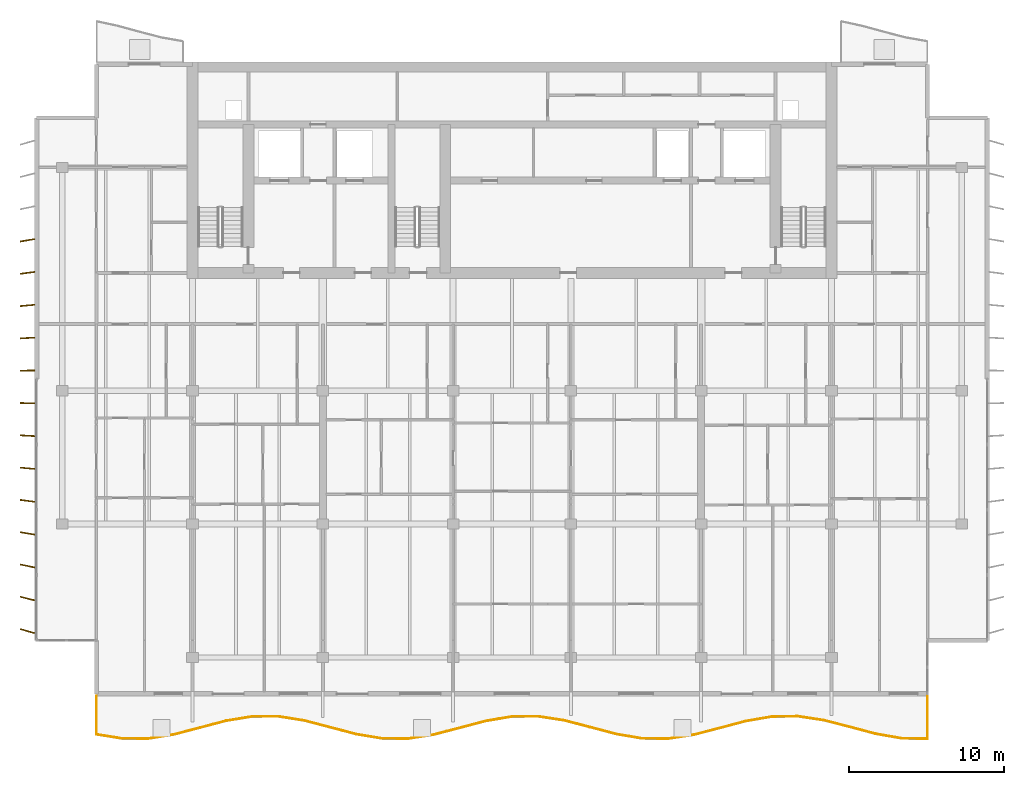
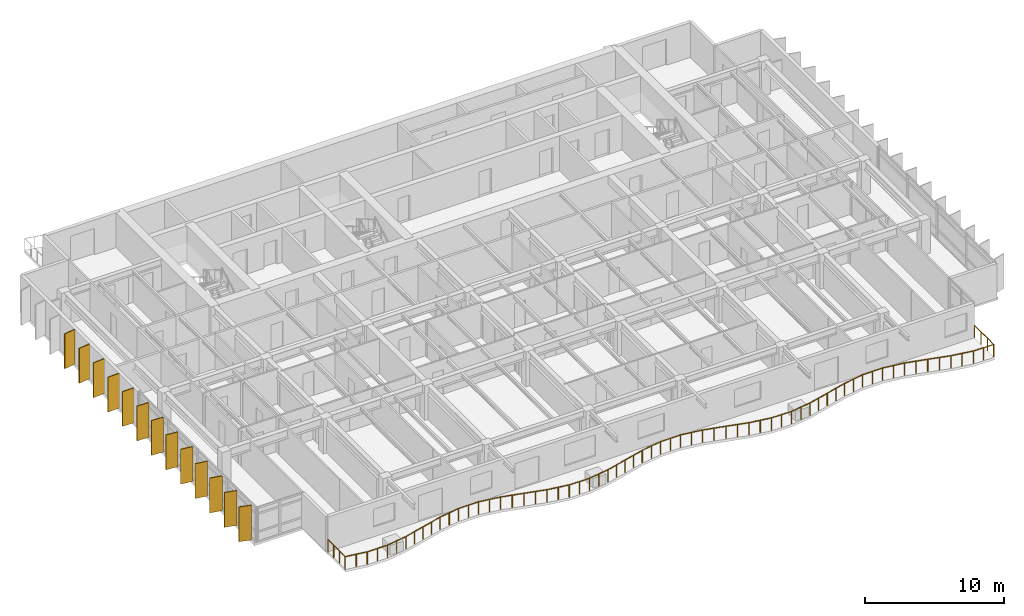
# One storey, part 13 of 17: 13 shading devices, 1 railing.
"""IFC4 building model written with IfcOpenShell, lengths in metres."""

from ifc_helpers import new_model, si_unit, direction, frame, origin, origin_2d, place, context, subcontext, project, spatial, rectangle, circle, extrude, material, material_profile, profile_set, type_object, element, save


model = new_model("IFC4")

# Units and contexts
model_context = context("Model", 3, precision=1e-05, world=origin(), true_north=direction((0.0, 1.0)))
body_context = subcontext(model_context, "Body", "Model", "MODEL_VIEW")
ifc_project = project(units=[si_unit("LENGTHUNIT", "METRE"), si_unit("AREAUNIT", "SQUARE_METRE"), si_unit("VOLUMEUNIT", "CUBIC_METRE"), si_unit("PLANEANGLEUNIT", "RADIAN"), si_unit("MASSUNIT", "GRAM", prefix="KILO")], contexts=[model_context])

# Site, building, storey
site_placement = place(None, origin())
site = spatial("IfcSite", under=ifc_project, at=site_placement, CompositionType="ELEMENT")
building_placement = place(site_placement, origin())
building = spatial("IfcBuilding", under=site, at=building_placement, Name="Caelmar Bay Residences", CompositionType="ELEMENT")
storey_placement = place(building_placement, frame((0.0, 0.0, 243.0)))
storey = spatial("IfcBuildingStorey", under=building, at=storey_placement, Name="L68", CompositionType="ELEMENT", Elevation=243.0)

# Railing
ifc_material_1 = material(Name="Anodised bronze handrail with laminated hurricane glass infill", Category="glass")
railing_type = type_object("IfcRailingType", Name="RL-BAL-1100", PredefinedType="BALUSTRADE", material=ifc_material_1)
railing_placement = place(storey_placement, frame((12.10009765625, 9.699951171875, 0.0)))
element("IfcRailing", 1, at=railing_placement, inside=storey, type_object=railing_type, Name="L68 south Balcony Balustrade", PredefinedType="BALUSTRADE", context=body_context, shape_type="SweptSolid", body=[
    extrude(circle(Radius=0.02392578125, at=origin_2d()), frame((0.0, 0.0, 1.076171875), z_axis=(0.0, -1.0, 0.0), x_axis=(1.0, 0.0, 0.0)), (0.0, 0.0, 1.0), 2.460693359375),
    extrude(circle(Radius=0.02392578125, at=origin_2d()), frame((0.0, -2.460693359375, 1.076171875), z_axis=(0.987047039079, -0.160431114952, 0.0), x_axis=(0.160431114952, 0.987047039079, 0.0)), (0.0, 0.0, 1.0), 1.69677734375),
    extrude(circle(Radius=0.02392578125, at=origin_2d()), frame((1.6748046875, -2.73291015625, 1.076171875), z_axis=(0.999999734457, -0.000728756547, 0.0), x_axis=(0.000728756547, 0.999999734457, 0.0)), (0.0, 0.0, 1.0), 1.675048828125),
    extrude(circle(Radius=0.02392578125, at=origin_2d()), frame((3.349853515625, -2.734130859375, 1.076171875), z_axis=(0.987254980972, 0.15914648141, 0.0), x_axis=(-0.15914648141, 0.987254980972, 0.0)), (0.0, 0.0, 1.0), 1.69677734375),
    extrude(circle(Radius=0.02392578125, at=origin_2d()), frame((5.02490234375, -2.464111328125, 1.076171875), z_axis=(0.967404305386, 0.253236865249, 0.0), x_axis=(-0.253236865249, 0.967404305386, 0.0)), (0.0, 0.0, 1.0), 1.7314453125),
    extrude(circle(Radius=0.02392578125, at=origin_2d()), frame((6.699951171875, -2.025634765625, 1.076171875), z_axis=(0.967092793204, 0.254423916591, 0.0), x_axis=(-0.254423916591, 0.967092793204, 0.0)), (0.0, 0.0, 1.0), 1.73193359375),
    extrude(circle(Radius=0.02392578125, at=origin_2d()), frame((8.375, -1.5849609375, 1.076171875), z_axis=(0.986726209482, 0.162392695409, 0.0), x_axis=(-0.162392695409, 0.986726209482, 0.0)), (0.0, 0.0, 1.0), 1.697265625),
    extrude(circle(Radius=0.02392578125, at=origin_2d()), frame((10.0498046875, -1.309326171875, 1.076171875), z_axis=(0.999994381153, 0.003352262173, 0.0), x_axis=(-0.003352262173, 0.999994381153, 0.0)), (0.0, 0.0, 1.0), 1.675048828125),
    extrude(circle(Radius=0.02392578125, at=origin_2d()), frame((11.724853515625, -1.3037109375, 1.076171875), z_axis=(0.987591978571, -0.157041662822, 0.0), x_axis=(0.157041662822, 0.987591978571, 0.0)), (0.0, 0.0, 1.0), 1.696044921875),
    extrude(circle(Radius=0.02392578125, at=origin_2d()), frame((13.39990234375, -1.570068359375, 1.076171875), z_axis=(0.967576824315, -0.252576897296, 0.0), x_axis=(0.252576897296, 0.967576824315, 0.0)), (0.0, 0.0, 1.0), 1.731201171875),
    extrude(circle(Radius=0.02392578125, at=origin_2d()), frame((15.074951171875, -2.00732421875, 1.076171875), z_axis=(0.966884421424, -0.255214646145, 0.0), x_axis=(0.255214646145, 0.966884421424, 0.0)), (0.0, 0.0, 1.0), 1.732421875),
    extrude(circle(Radius=0.02392578125, at=origin_2d()), frame((16.75, -2.449462890625, 1.076171875), z_axis=(0.986424996729, -0.164212441147, 0.0), x_axis=(0.164212441147, 0.986424996729, 0.0)), (0.0, 0.0, 1.0), 1.69775390625),
    extrude(circle(Radius=0.02392578125, at=origin_2d()), frame((18.4248046875, -2.728271484375, 1.076171875), z_axis=(0.999982145354, -0.00597569858, 0.0), x_axis=(0.00597569858, 0.999982145354, 0.0)), (0.0, 0.0, 1.0), 1.675048828125),
    extrude(circle(Radius=0.02392578125, at=origin_2d()), frame((20.099853515625, -2.73828125, 1.076171875), z_axis=(0.987902663395, 0.155075232251, 0.0), x_axis=(-0.155075232251, 0.987902663395, 0.0)), (0.0, 0.0, 1.0), 1.695556640625),
    extrude(circle(Radius=0.02392578125, at=origin_2d()), frame((21.77490234375, -2.475341796875, 1.076171875), z_axis=(0.967783333474, 0.251784470231, 0.0), x_axis=(-0.251784470231, 0.967783333474, 0.0)), (0.0, 0.0, 1.0), 1.730712890625),
    extrude(circle(Radius=0.02392578125, at=origin_2d()), frame((23.449951171875, -2.03955078125, 1.076171875), z_axis=(0.966745197832, 0.255741514949, 0.0), x_axis=(-0.255741514949, 0.966745197832, 0.0)), (0.0, 0.0, 1.0), 1.732666015625),
    extrude(circle(Radius=0.02392578125, at=origin_2d()), frame((25.125, -1.596435546875, 1.076171875), z_axis=(0.986073507488, 0.16631006533, 0.0), x_axis=(-0.16631006533, 0.986073507488, 0.0)), (0.0, 0.0, 1.0), 1.698486328125),
    extrude(circle(Radius=0.02392578125, at=origin_2d()), frame((26.7998046875, -1.31396484375, 1.076171875), z_axis=(0.999963027816, 0.008599011608, 0.0), x_axis=(-0.008599011608, 0.999963027816, 0.0)), (0.0, 0.0, 1.0), 1.675048828125),
    extrude(circle(Radius=0.02392578125, at=origin_2d()), frame((28.474853515625, -1.299560546875, 1.076171875), z_axis=(0.98823140632, -0.152966295513, 0.0), x_axis=(0.152966295513, 0.98823140632, 0.0)), (0.0, 0.0, 1.0), 1.695068359375),
    extrude(circle(Radius=0.02392578125, at=origin_2d()), frame((30.14990234375, -1.558837890625, 1.076171875), z_axis=(0.967954995668, -0.251123727196, 0.0), x_axis=(0.251123727196, 0.967954995668, 0.0)), (0.0, 0.0, 1.0), 1.73046875),
    extrude(circle(Radius=0.02392578125, at=origin_2d()), frame((31.824951171875, -1.993408203125, 1.076171875), z_axis=(0.966570821259, -0.256399780599, 0.0), x_axis=(0.256399780599, 0.966570821259, 0.0)), (0.0, 0.0, 1.0), 1.73291015625),
    extrude(circle(Radius=0.02392578125, at=origin_2d()), frame((33.5, -2.437744140625, 1.076171875), z_axis=(0.985741657826, -0.168265813603, 0.0), x_axis=(0.168265813603, 0.985741657826, 0.0)), (0.0, 0.0, 1.0), 1.698974609375),
    extrude(circle(Radius=0.02392578125, at=origin_2d()), frame((35.1748046875, -2.7236328125, 1.076171875), z_axis=(0.999938654546, -0.011076422933, 0.0), x_axis=(0.011076422933, 0.999938654546, 0.0)), (0.0, 0.0, 1.0), 1.675048828125),
    extrude(circle(Radius=0.02392578125, at=origin_2d()), frame((36.849853515625, -2.7421875, 1.076171875), z_axis=(0.98855586007, 0.150855266797, 0.0), x_axis=(-0.150855266797, 0.98855586007, 0.0)), (0.0, 0.0, 1.0), 1.6943359375),
    extrude(circle(Radius=0.02392578125, at=origin_2d()), frame((38.52490234375, -2.486572265625, 1.076171875), z_axis=(0.968160474746, 0.250330371987, 0.0), x_axis=(-0.250330371987, 0.968160474746, 0.0)), (0.0, 0.0, 1.0), 1.730224609375),
    extrude(circle(Radius=0.02392578125, at=origin_2d()), frame((40.199951171875, -2.053466796875, 1.076171875), z_axis=(0.966396059685, 0.257057689684, 0.0), x_axis=(-0.257057689684, 0.966396059685, 0.0)), (0.0, 0.0, 1.0), 1.7333984375),
    extrude(circle(Radius=0.02392578125, at=origin_2d()), frame((41.875, -1.60791015625, 1.076171875), z_axis=(0.985430242826, 0.170080088558, 0.0), x_axis=(-0.170080088558, 0.985430242826, 0.0)), (0.0, 0.0, 1.0), 1.699462890625),
    extrude(circle(Radius=0.02392578125, at=origin_2d()), frame((43.5498046875, -1.31884765625, 1.076171875), z_axis=(0.999906159624, 0.013699341059, 0.0), x_axis=(-0.013699341059, 0.999906159624, 0.0)), (0.0, 0.0, 1.0), 1.67529296875),
    extrude(circle(Radius=0.02392578125, at=origin_2d()), frame((45.224853515625, -1.2958984375, 1.076171875), z_axis=(0.988876011535, -0.148742172264, 0.0), x_axis=(0.148742172264, 0.988876011535, 0.0)), (0.0, 0.0, 1.0), 1.69384765625),
    extrude(circle(Radius=0.02392578125, at=origin_2d()), frame((46.89990234375, -1.5478515625, 1.076171875), z_axis=(0.968399487997, -0.249404153227, 0.0), x_axis=(0.249404153227, 0.968399487997, 0.0)), (0.0, 0.0, 1.0), 1.729736328125),
    extrude(circle(Radius=0.02392578125, at=origin_2d()), frame((48.574951171875, -1.979248046875, 1.076171875), z_axis=(0.966220913805, -0.257715241548, 0.0), x_axis=(0.257715241548, 0.966220913805, 0.0)), (0.0, 0.0, 1.0), 1.733642578125),
    extrude(circle(Radius=0.02392578125, at=origin_2d()), frame((50.25, -2.426025390625, 1.076171875), z_axis=(0.985067018803, -0.172171334627, 0.0), x_axis=(0.172171334627, 0.985067018803, 0.0)), (0.0, 0.0, 1.0), 1.7001953125),
    extrude(circle(Radius=0.02392578125, at=origin_2d()), frame((51.9248046875, -2.71875, 1.076171875), z_axis=(0.999869155377, -0.016176282794, 0.0), x_axis=(0.016176282794, 0.999869155377, 0.0)), (0.0, 0.0, 1.0), 1.67529296875),
    extrude(circle(Radius=0.02392578125, at=origin_2d()), frame((53.599853515625, -2.745849609375, 1.076171875), z_axis=(0.0, 1.0, 0.0), x_axis=(-1.0, 0.0, 0.0)), (0.0, 0.0, 1.0), 2.745849609375),
    extrude(circle(Radius=0.02099609375, at=origin_2d()), origin(), (0.0, 0.0, 1.0), 1.052001953125),
    extrude(circle(Radius=0.02099609375, at=origin_2d()), frame((0.0, -0.8203125, 0.0)), (0.0, 0.0, 1.0), 1.052001953125),
    extrude(circle(Radius=0.02099609375, at=origin_2d()), frame((0.0, -1.640380859375, 0.0)), (0.0, 0.0, 1.0), 1.052001953125),
    extrude(circle(Radius=0.02099609375, at=origin_2d()), frame((0.0, -2.460693359375, 0.0)), (0.0, 0.0, 1.0), 1.052001953125),
    extrude(circle(Radius=0.02099609375, at=origin_2d()), frame((0.83740234375, -2.5966796875, 0.0)), (0.0, 0.0, 1.0), 1.052001953125),
    extrude(circle(Radius=0.02099609375, at=origin_2d()), frame((1.6748046875, -2.73291015625, 0.0)), (0.0, 0.0, 1.0), 1.052001953125),
    extrude(circle(Radius=0.02099609375, at=origin_2d()), frame((2.51220703125, -2.7333984375, 0.0)), (0.0, 0.0, 1.0), 1.052001953125),
    extrude(circle(Radius=0.02099609375, at=origin_2d()), frame((3.349853515625, -2.734130859375, 0.0)), (0.0, 0.0, 1.0), 1.052001953125),
    extrude(circle(Radius=0.02099609375, at=origin_2d()), frame((4.1875, -2.59912109375, 0.0)), (0.0, 0.0, 1.0), 1.052001953125),
    extrude(circle(Radius=0.02099609375, at=origin_2d()), frame((5.02490234375, -2.464111328125, 0.0)), (0.0, 0.0, 1.0), 1.052001953125),
    extrude(circle(Radius=0.02099609375, at=origin_2d()), frame((5.8623046875, -2.244873046875, 0.0)), (0.0, 0.0, 1.0), 1.052001953125),
    extrude(circle(Radius=0.02099609375, at=origin_2d()), frame((6.699951171875, -2.025634765625, 0.0)), (0.0, 0.0, 1.0), 1.052001953125),
    extrude(circle(Radius=0.02099609375, at=origin_2d()), frame((7.53759765625, -1.80517578125, 0.0)), (0.0, 0.0, 1.0), 1.052001953125),
    extrude(circle(Radius=0.02099609375, at=origin_2d()), frame((8.375, -1.5849609375, 0.0)), (0.0, 0.0, 1.0), 1.052001953125),
    extrude(circle(Radius=0.02099609375, at=origin_2d()), frame((9.21240234375, -1.447265625, 0.0)), (0.0, 0.0, 1.0), 1.052001953125),
    extrude(circle(Radius=0.02099609375, at=origin_2d()), frame((10.0498046875, -1.309326171875, 0.0)), (0.0, 0.0, 1.0), 1.052001953125),
    extrude(circle(Radius=0.02099609375, at=origin_2d()), frame((10.88720703125, -1.306640625, 0.0)), (0.0, 0.0, 1.0), 1.052001953125),
    extrude(circle(Radius=0.02099609375, at=origin_2d()), frame((11.724853515625, -1.3037109375, 0.0)), (0.0, 0.0, 1.0), 1.052001953125),
    extrude(circle(Radius=0.02099609375, at=origin_2d()), frame((12.5625, -1.43701171875, 0.0)), (0.0, 0.0, 1.0), 1.052001953125),
    extrude(circle(Radius=0.02099609375, at=origin_2d()), frame((13.39990234375, -1.570068359375, 0.0)), (0.0, 0.0, 1.0), 1.052001953125),
    extrude(circle(Radius=0.02099609375, at=origin_2d()), frame((14.2373046875, -1.78857421875, 0.0)), (0.0, 0.0, 1.0), 1.052001953125),
    extrude(circle(Radius=0.02099609375, at=origin_2d()), frame((15.074951171875, -2.00732421875, 0.0)), (0.0, 0.0, 1.0), 1.052001953125),
    extrude(circle(Radius=0.02099609375, at=origin_2d()), frame((15.91259765625, -2.228515625, 0.0)), (0.0, 0.0, 1.0), 1.052001953125),
    extrude(circle(Radius=0.02099609375, at=origin_2d()), frame((16.75, -2.449462890625, 0.0)), (0.0, 0.0, 1.0), 1.052001953125),
    extrude(circle(Radius=0.02099609375, at=origin_2d()), frame((17.58740234375, -2.5888671875, 0.0)), (0.0, 0.0, 1.0), 1.052001953125),
    extrude(circle(Radius=0.02099609375, at=origin_2d()), frame((18.4248046875, -2.728271484375, 0.0)), (0.0, 0.0, 1.0), 1.052001953125),
    extrude(circle(Radius=0.02099609375, at=origin_2d()), frame((19.26220703125, -2.7333984375, 0.0)), (0.0, 0.0, 1.0), 1.052001953125),
    extrude(circle(Radius=0.02099609375, at=origin_2d()), frame((20.099853515625, -2.73828125, 0.0)), (0.0, 0.0, 1.0), 1.052001953125),
    extrude(circle(Radius=0.02099609375, at=origin_2d()), frame((20.9375, -2.60693359375, 0.0)), (0.0, 0.0, 1.0), 1.052001953125),
    extrude(circle(Radius=0.02099609375, at=origin_2d()), frame((21.77490234375, -2.475341796875, 0.0)), (0.0, 0.0, 1.0), 1.052001953125),
    extrude(circle(Radius=0.02099609375, at=origin_2d()), frame((22.6123046875, -2.25732421875, 0.0)), (0.0, 0.0, 1.0), 1.052001953125),
    extrude(circle(Radius=0.02099609375, at=origin_2d()), frame((23.449951171875, -2.03955078125, 0.0)), (0.0, 0.0, 1.0), 1.052001953125),
    extrude(circle(Radius=0.02099609375, at=origin_2d()), frame((24.28759765625, -1.81787109375, 0.0)), (0.0, 0.0, 1.0), 1.052001953125),
    extrude(circle(Radius=0.02099609375, at=origin_2d()), frame((25.125, -1.596435546875, 0.0)), (0.0, 0.0, 1.0), 1.052001953125),
    extrude(circle(Radius=0.02099609375, at=origin_2d()), frame((25.96240234375, -1.455078125, 0.0)), (0.0, 0.0, 1.0), 1.052001953125),
    extrude(circle(Radius=0.02099609375, at=origin_2d()), frame((26.7998046875, -1.31396484375, 0.0)), (0.0, 0.0, 1.0), 1.052001953125),
    extrude(circle(Radius=0.02099609375, at=origin_2d()), frame((27.63720703125, -1.306640625, 0.0)), (0.0, 0.0, 1.0), 1.052001953125),
    extrude(circle(Radius=0.02099609375, at=origin_2d()), frame((28.474853515625, -1.299560546875, 0.0)), (0.0, 0.0, 1.0), 1.052001953125),
    extrude(circle(Radius=0.02099609375, at=origin_2d()), frame((29.3125, -1.42919921875, 0.0)), (0.0, 0.0, 1.0), 1.052001953125),
    extrude(circle(Radius=0.02099609375, at=origin_2d()), frame((30.14990234375, -1.558837890625, 0.0)), (0.0, 0.0, 1.0), 1.052001953125),
    extrude(circle(Radius=0.02099609375, at=origin_2d()), frame((30.9873046875, -1.776123046875, 0.0)), (0.0, 0.0, 1.0), 1.052001953125),
    extrude(circle(Radius=0.02099609375, at=origin_2d()), frame((31.824951171875, -1.993408203125, 0.0)), (0.0, 0.0, 1.0), 1.052001953125),
    extrude(circle(Radius=0.02099609375, at=origin_2d()), frame((32.66259765625, -2.215576171875, 0.0)), (0.0, 0.0, 1.0), 1.052001953125),
    extrude(circle(Radius=0.02099609375, at=origin_2d()), frame((33.5, -2.437744140625, 0.0)), (0.0, 0.0, 1.0), 1.052001953125),
    extrude(circle(Radius=0.02099609375, at=origin_2d()), frame((34.33740234375, -2.58056640625, 0.0)), (0.0, 0.0, 1.0), 1.052001953125),
    extrude(circle(Radius=0.02099609375, at=origin_2d()), frame((35.1748046875, -2.7236328125, 0.0)), (0.0, 0.0, 1.0), 1.052001953125),
    extrude(circle(Radius=0.02099609375, at=origin_2d()), frame((36.01220703125, -2.73291015625, 0.0)), (0.0, 0.0, 1.0), 1.052001953125),
    extrude(circle(Radius=0.02099609375, at=origin_2d()), frame((36.849853515625, -2.7421875, 0.0)), (0.0, 0.0, 1.0), 1.052001953125),
    extrude(circle(Radius=0.02099609375, at=origin_2d()), frame((37.6875, -2.6142578125, 0.0)), (0.0, 0.0, 1.0), 1.052001953125),
    extrude(circle(Radius=0.02099609375, at=origin_2d()), frame((38.52490234375, -2.486572265625, 0.0)), (0.0, 0.0, 1.0), 1.052001953125),
    extrude(circle(Radius=0.02099609375, at=origin_2d()), frame((39.3623046875, -2.27001953125, 0.0)), (0.0, 0.0, 1.0), 1.052001953125),
    extrude(circle(Radius=0.02099609375, at=origin_2d()), frame((40.199951171875, -2.053466796875, 0.0)), (0.0, 0.0, 1.0), 1.052001953125),
    extrude(circle(Radius=0.02099609375, at=origin_2d()), frame((41.03759765625, -1.83056640625, 0.0)), (0.0, 0.0, 1.0), 1.052001953125),
    extrude(circle(Radius=0.02099609375, at=origin_2d()), frame((41.875, -1.60791015625, 0.0)), (0.0, 0.0, 1.0), 1.052001953125),
    extrude(circle(Radius=0.02099609375, at=origin_2d()), frame((42.71240234375, -1.46337890625, 0.0)), (0.0, 0.0, 1.0), 1.052001953125),
    extrude(circle(Radius=0.02099609375, at=origin_2d()), frame((43.5498046875, -1.31884765625, 0.0)), (0.0, 0.0, 1.0), 1.052001953125),
    extrude(circle(Radius=0.02099609375, at=origin_2d()), frame((44.38720703125, -1.307373046875, 0.0)), (0.0, 0.0, 1.0), 1.052001953125),
    extrude(circle(Radius=0.02099609375, at=origin_2d()), frame((45.224853515625, -1.2958984375, 0.0)), (0.0, 0.0, 1.0), 1.052001953125),
    extrude(circle(Radius=0.02099609375, at=origin_2d()), frame((46.0625, -1.421875, 0.0)), (0.0, 0.0, 1.0), 1.052001953125),
    extrude(circle(Radius=0.02099609375, at=origin_2d()), frame((46.89990234375, -1.5478515625, 0.0)), (0.0, 0.0, 1.0), 1.052001953125),
    extrude(circle(Radius=0.02099609375, at=origin_2d()), frame((47.7373046875, -1.763671875, 0.0)), (0.0, 0.0, 1.0), 1.052001953125),
    extrude(circle(Radius=0.02099609375, at=origin_2d()), frame((48.574951171875, -1.979248046875, 0.0)), (0.0, 0.0, 1.0), 1.052001953125),
    extrude(circle(Radius=0.02099609375, at=origin_2d()), frame((49.41259765625, -2.20263671875, 0.0)), (0.0, 0.0, 1.0), 1.052001953125),
    extrude(circle(Radius=0.02099609375, at=origin_2d()), frame((50.25, -2.426025390625, 0.0)), (0.0, 0.0, 1.0), 1.052001953125),
    extrude(circle(Radius=0.02099609375, at=origin_2d()), frame((51.08740234375, -2.572265625, 0.0)), (0.0, 0.0, 1.0), 1.052001953125),
    extrude(circle(Radius=0.02099609375, at=origin_2d()), frame((51.9248046875, -2.71875, 0.0)), (0.0, 0.0, 1.0), 1.052001953125),
    extrude(circle(Radius=0.02099609375, at=origin_2d()), frame((52.76220703125, -2.732421875, 0.0)), (0.0, 0.0, 1.0), 1.052001953125),
    extrude(circle(Radius=0.02099609375, at=origin_2d()), frame((53.599853515625, -2.745849609375, 0.0)), (0.0, 0.0, 1.0), 1.052001953125),
    extrude(circle(Radius=0.02099609375, at=origin_2d()), frame((53.599853515625, -1.83056640625, 0.0)), (0.0, 0.0, 1.0), 1.052001953125),
    extrude(circle(Radius=0.02099609375, at=origin_2d()), frame((53.599853515625, -0.915283203125, 0.0)), (0.0, 0.0, 1.0), 1.052001953125),
    extrude(circle(Radius=0.02099609375, at=origin_2d()), frame((53.599853515625, 0.0, 0.0)), (0.0, 0.0, 1.0), 1.052001953125),
])

# Shading devices
ifc_material_2 = material(Name="Anodised architectural bronze aluminium 6063-T6", Category="aluminium")
ifc_material_profile = material_profile(ifc_material_2, rectangle(XDim=0.074951171875, YDim=0.949951171875, at=origin_2d()), Name="BRONZE-FIN-75X950")
ifc_profile_set = profile_set([ifc_material_profile], Name="Anodised architectural bronze aluminium 6063-T6")
shading_device_type = type_object("IfcShadingDeviceType", Name="SHD-FIN-950", PredefinedType="USERDEFINED", material=ifc_profile_set)
for number, where, z_axis, x_axis, name in (
    (2, (7.64990234375, 13.89990234375, 0.0), (0.0, 0.0, 1.0), (0.275637355817, 0.961261695938, 0.0), "L68 West Bronze Solar Fin 1"),
    (3, (7.64990234375, 16.0, 0.0), (0.0, 0.0, 1.0), (0.239719743609, 0.970842131618, 0.0), "L68 West Bronze Solar Fin 2"),
    (4, (7.64990234375, 18.10009765625, 0.0), (0.0, 0.0, 1.0), (0.2032999874, 0.979116497217, 0.0), "L68 West Bronze Solar Fin 3"),
    (5, (7.64990234375, 20.199951171875, 0.0), (0.0, 0.0, 1.0), (0.166768746716, 0.985996037071, 0.0), "L68 West Bronze Solar Fin 4"),
    (6, (7.64990234375, 22.300048828125, 0.0), (0.0, 0.0, 1.0), (0.130007055036, 0.99151306882, 0.0), "L68 West Bronze Solar Fin 5"),
    (7, (7.64990234375, 24.39990234375, 0.0), (0.0, 0.0, 1.0), (0.092891934994, 0.995676196569, 0.0), "L68 West Bronze Solar Fin 6"),
    (8, (7.64990234375, 26.5, 0.0), (0.0, 0.0, 1.0), (0.055821504993, 0.998440764182, 0.0), "L68 West Bronze Solar Fin 7"),
    (9, (7.64990234375, 28.60009765625, 0.0), (0.0, 0.0, 1.0), (0.018673937509, 0.999825626826, 0.0), "L68 West Bronze Solar Fin 8"),
    (10, (7.64990234375, 30.699951171875, 0.0), (0.0, 0.0, 1.0), (-0.018673937509, 0.999825626826, 0.0), "L68 West Bronze Solar Fin 9"),
    (11, (7.64990234375, 32.800048828125, 0.0), (0.0, 0.0, 1.0), (-0.055821504993, 0.998440764182, 0.0), "L68 West Bronze Solar Fin 10"),
    (12, (7.64990234375, 34.89990234375, 0.0), (0.0, 0.0, 1.0), (-0.092891934994, 0.995676196569, 0.0), "L68 West Bronze Solar Fin 11"),
    (13, (7.64990234375, 37.0, 0.0), (0.0, 0.0, 1.0), (-0.130007055036, 0.99151306882, 0.0), "L68 West Bronze Solar Fin 12"),
    (14, (7.64990234375, 39.10009765625, 0.0), (0.0, 0.0, 1.0), (-0.166768746716, 0.985996037071, 0.0), "L68 West Bronze Solar Fin 13"),
):
    element("IfcShadingDevice", number, at=place(storey_placement, frame(where, z_axis=z_axis, x_axis=x_axis)), inside=storey, type_object=shading_device_type, Name=name, ObjectType="FIN", PredefinedType="USERDEFINED", context=body_context, shape_type="SweptSolid", body=[
        extrude(rectangle(XDim=0.074951171875, YDim=0.949951171875, at=origin_2d()), origin(), (0.0, 0.0, 1.0), 3.050048828125),
    ])

save(model, "model.ifc")
